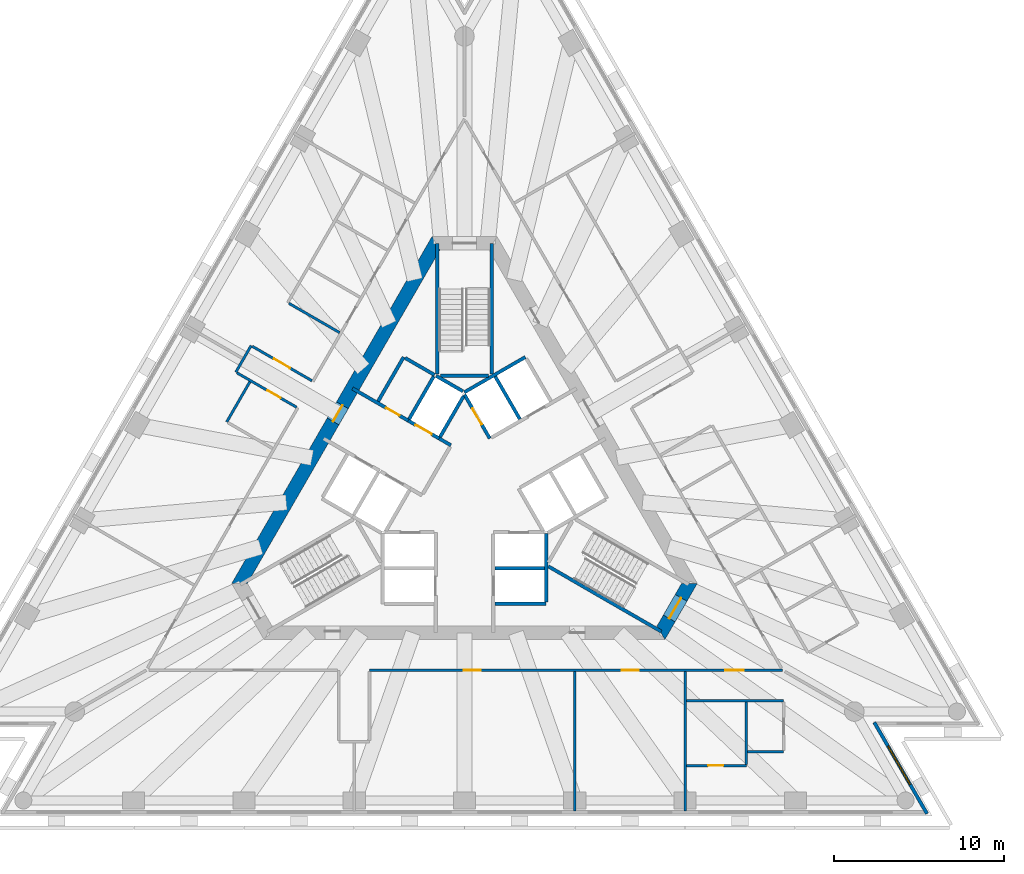
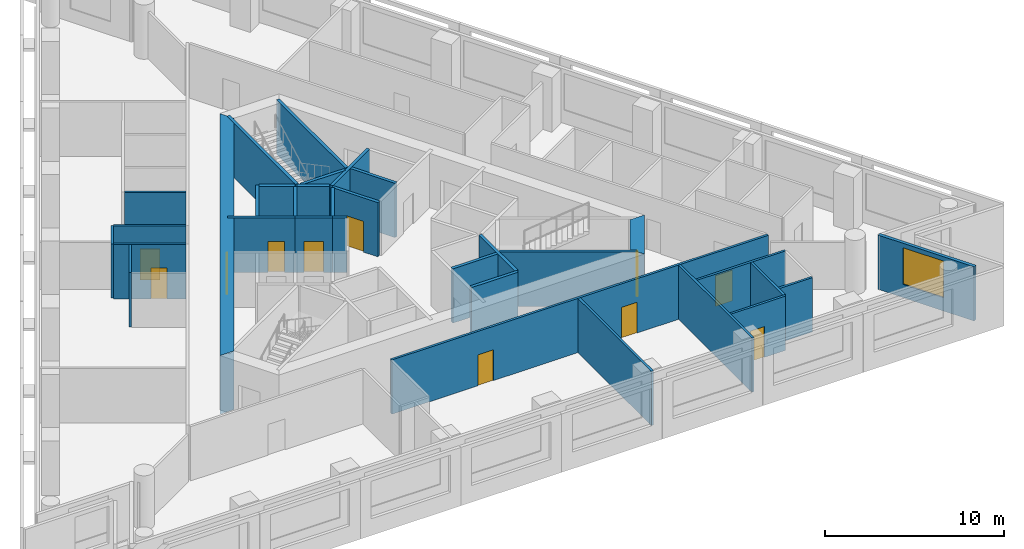
# One storey, part 4 of 9: 33 walls, 11 doors, 1 window, 12 openings.
"""IFC4 building model written with IfcOpenShell, lengths in metres."""

from ifc_helpers import new_model, si_unit, direction, frame, frame_2d, origin, place, context, subcontext, project, spatial, polyline, rectangle, outline, extrude, material, layer, layer_set, layer_usage, type_object, element, fill, save


model = new_model("IFC4")

# Units and contexts
model_context = context("Model", 3, precision=1e-05, world=origin(), true_north=direction((0.0, 1.0)))
body_context = subcontext(model_context, "Body", "Model", "MODEL_VIEW")
ifc_project = project(units=[si_unit("LENGTHUNIT", "METRE"), si_unit("AREAUNIT", "SQUARE_METRE"), si_unit("VOLUMEUNIT", "CUBIC_METRE"), si_unit("PLANEANGLEUNIT", "RADIAN"), si_unit("MASSUNIT", "GRAM", prefix="KILO")], contexts=[model_context])

# Site, building, storey
site_placement = place(None, origin())
site = spatial("IfcSite", under=ifc_project, at=site_placement, CompositionType="ELEMENT")
building_placement = place(site_placement, origin())
building = spatial("IfcBuilding", under=site, at=building_placement, Name="Triada Interchange Tower", CompositionType="ELEMENT")
storey_placement = place(building_placement, frame((0.0, 0.0, 164.300048828125)))
storey = spatial("IfcBuildingStorey", under=building, at=storey_placement, Name="L38", CompositionType="ELEMENT", Elevation=164.300048828125)

# Walls
ifc_material_1 = material(Name="Concrete C30/37", Category="concrete")
ifc_layer_1 = layer(ifc_material_1, 0.199951171875)
ifc_layer_set_1 = layer_set([ifc_layer_1], Name="CORE WALL 200 EI 120")
wall_type_1 = type_object("IfcWallType", Name="CORE WALL 200 EI 120", PredefinedType="SOLIDWALL", material=ifc_layer_set_1)
wall_1_placement = place(storey_placement, frame((1.800048828125, -6.89990234375, 0.0), z_axis=(0.0, 0.0, 1.0), x_axis=(1.0, 0.0, 0.0)))
element("IfcWall", 1, at=wall_1_placement, inside=storey, type_object=wall_type_1, Name="Wall L38 52", PredefinedType="SOLIDWALL", context=body_context, shape_type="SweptSolid", body=[
    extrude(rectangle(XDim=3.0, YDim=0.199951171875, at=frame_2d((1.5, 0.0))), origin(), (0.0, 0.0, 1.0), 3.699951171875),
])
wall_2_placement = place(storey_placement, frame((1.800048828125, -4.800048828125, 0.0), z_axis=(0.0, 0.0, 1.0), x_axis=(1.0, 0.0, 0.0)))
element("IfcWall", 2, at=wall_2_placement, inside=storey, type_object=wall_type_1, Name="Wall L38 54", PredefinedType="SOLIDWALL", context=body_context, shape_type="SweptSolid", body=[
    extrude(rectangle(XDim=2.89990234375, YDim=0.199951171875, at=frame_2d((1.449951171875, 0.0))), origin(), (0.0, 0.0, 1.0), 3.699951171875),
])
wall_3_placement = place(storey_placement, frame((-0.001953125, 5.5419921875, 0.0), z_axis=(0.0, 0.0, 1.0), x_axis=(0.866103910842, 0.499863997127, 0.0)))
element("IfcWall", 3, at=wall_3_placement, inside=storey, type_object=wall_type_1, Name="Wall L38 58", PredefinedType="SOLIDWALL", context=body_context, shape_type="SweptSolid", body=[
    extrude(rectangle(XDim=4.131103515625, YDim=0.199951171875, at=frame_2d((2.0654296875, 0.0))), origin(), (0.0, 0.0, 1.0), 3.699951171875),
])

# Wall, opening, door
wall_4_placement = place(storey_placement, frame((0.0, 5.39990234375, 0.0), z_axis=(0.0, 0.0, 1.0), x_axis=(0.500103862429, -0.865965430478, 0.0)))
wall_4 = element("IfcWall", 4, at=wall_4_placement, inside=storey, type_object=wall_type_1, Name="Wall L38 59", PredefinedType="SOLIDWALL", context=body_context, shape_type="SweptSolid", body=[
    extrude(rectangle(XDim=2.973388671875, YDim=0.199951171875, at=frame_2d((1.48681640625, 0.0))), origin(), (0.0, 0.0, 1.0), 3.699951171875),
])
opening_1_placement = place(wall_4_placement, frame((0.93701171875, 0.0, 0.0)))
opening_1 = element("IfcOpeningElement", 5, at=opening_1_placement, cuts=wall_4, Name="Opening LD-LR5", PredefinedType="OPENING", context=body_context, shape_type="SweptSolid", body=[
    extrude(rectangle(XDim=1.10009765625, YDim=2.10009765625, at=frame_2d((0.550048828125, 1.050048828125))), frame((0.0, 0.10986328125, 0.0), z_axis=(0.0, -1.0, 0.0), x_axis=(1.0, 0.0, 0.0)), (0.0, 0.0, 1.0), 0.219970703125),
])
ifc_material_2 = material(Name="Steel S235 door leaf", Category="steel")
door_type_1 = type_object("IfcDoorType", Name="LIFT LANDING DOOR 1100 EI 120", OperationType="SLIDING_TO_LEFT", PredefinedType="DOOR", material=ifc_material_2)
door_1_placement = place(opening_1_placement, origin())
door_1 = element("IfcDoor", 6, at=door_1_placement, inside=storey, type_object=door_type_1, Name="LR5 landing door L38", OperationType="SLIDING_TO_LEFT", OverallHeight=2.10009765625, OverallWidth=1.10009765625, PredefinedType="DOOR", context=body_context, shape_type="SweptSolid", body=[
    extrude(rectangle(XDim=1.10009765625, YDim=2.10009765625, at=frame_2d((0.550048828125, 1.050048828125))), frame((0.0, 0.02490234375, 0.0), z_axis=(0.0, -1.0, 0.0), x_axis=(1.0, 0.0, 0.0)), (0.0, 0.0, 1.0), 0.050048828125),
])
fill(opening_1, door_1)

# Walls
wall_5_placement = place(storey_placement, frame((4.800048828125, -6.800048828125, 0.0), z_axis=(0.0, 0.0, 1.0), x_axis=(0.0, 1.0, 0.0)))
element("IfcWall", 7, at=wall_5_placement, inside=storey, type_object=wall_type_1, Name="Wall L38 63", PredefinedType="SOLIDWALL", context=body_context, shape_type="SweptSolid", body=[
    extrude(rectangle(XDim=4.029052734375, YDim=0.199951171875, at=frame_2d((2.0146484375, 0.0))), origin(), (0.0, 0.0, 1.0), 3.699951171875),
])
wall_6_placement = place(storey_placement, frame((1.806884765625, 6.469970703125, 0.0), z_axis=(0.0, 0.0, 1.0), x_axis=(0.50012328804, -0.865954211699, 0.0)))
element("IfcWall", 8, at=wall_6_placement, inside=storey, type_object=wall_type_1, Name="Wall L38 66", PredefinedType="SOLIDWALL", context=body_context, shape_type="SweptSolid", body=[
    extrude(rectangle(XDim=2.899658203125, YDim=0.199951171875, at=frame_2d((1.44970703125, 0.0))), origin(), (0.0, 0.0, 1.0), 3.699951171875),
])

# Wall, opening, door
ifc_layer_2 = layer(ifc_material_1, 0.199951171875)
ifc_layer_set_2 = layer_set([ifc_layer_2], Name="CORE WALL 200 EI 180")
wall_type_2 = type_object("IfcWallType", Name="CORE WALL 200 EI 180", PredefinedType="SOLIDWALL", material=ifc_layer_set_2)
wall_7_placement = place(storey_placement, frame((-6.580078125, 5.761962890625, 0.0), z_axis=(0.0, 0.0, 1.0), x_axis=(0.866029704776, -0.49999255039, 0.0)))
wall_7 = element("IfcWall", 9, at=wall_7_placement, inside=storey, type_object=wall_type_2, Name="Wall L38 72", PredefinedType="SOLIDWALL", context=body_context, shape_type="SweptSolid", body=[
    extrude(rectangle(XDim=3.78173828125, YDim=0.199951171875, at=frame_2d((1.890869140625, 0.0))), origin(), (0.0, 0.0, 1.0), 3.699951171875),
])
opening_2_placement = place(wall_7_placement, frame((2.279052734375, 0.0, 0.0)))
opening_2 = element("IfcOpeningElement", 10, at=opening_2_placement, cuts=wall_7, Name="Opening D38-10", PredefinedType="OPENING", context=body_context, shape_type="SweptSolid", body=[
    extrude(rectangle(XDim=0.89990234375, YDim=2.10009765625, at=frame_2d((0.449951171875, 1.050048828125))), frame((0.0, 0.10986328125, 0.0), z_axis=(0.0, -1.0, 0.0), x_axis=(1.0, 0.0, 0.0)), (0.0, 0.0, 1.0), 0.219970703125),
])
door_type_2 = type_object("IfcDoorType", Name="SERVICE DOOR 900 EI2 90-C5S200", OperationType="NOTDEFINED", PredefinedType="DOOR", material=ifc_material_2)
door_2_placement = place(opening_2_placement, origin())
door_2 = element("IfcDoor", 11, at=door_2_placement, inside=storey, type_object=door_type_2, Name="Door D38-10 L38", OperationType="SINGLE_SWING_LEFT", OverallHeight=2.10009765625, OverallWidth=0.89990234375, PredefinedType="DOOR", context=body_context, shape_type="SweptSolid", body=[
    extrude(rectangle(XDim=0.89990234375, YDim=2.10009765625, at=frame_2d((0.449951171875, 1.050048828125))), frame((0.0, 0.02490234375, 0.0), z_axis=(0.0, -1.0, 0.0), x_axis=(1.0, 0.0, 0.0)), (0.0, 0.0, 1.0), 0.050048828125),
])
fill(opening_2, door_2)

# Walls
wall_8_placement = place(storey_placement, frame((-1.488037109375, 2.822021484375, 0.0), z_axis=(0.0, 0.0, 1.0), x_axis=(0.866236612152, -0.499633997809, 0.0)))
element("IfcWall", 12, at=wall_8_placement, inside=storey, type_object=wall_type_2, Name="Wall L38 73", PredefinedType="SOLIDWALL", context=body_context, shape_type="SweptSolid", body=[
    extrude(rectangle(XDim=0.79638671875, YDim=0.199951171875, at=frame_2d((0.398193359375, 0.0))), origin(), (0.0, 0.0, 1.0), 3.699951171875),
])
wall_9_placement = place(storey_placement, frame((-5.075927734375, 5.009033203125, 0.0), z_axis=(0.0, 0.0, 1.0), x_axis=(0.50002537861, 0.866010750942, 0.0)))
element("IfcWall", 13, at=wall_9_placement, inside=storey, type_object=wall_type_2, Name="Wall L38 74", PredefinedType="SOLIDWALL", context=body_context, shape_type="SweptSolid", body=[
    extrude(rectangle(XDim=2.999755859375, YDim=0.199951171875, at=frame_2d((1.5, 0.0))), origin(), (0.0, 0.0, 1.0), 3.699951171875),
])
wall_10_placement = place(storey_placement, frame((-3.489013671875, 7.556884765625, 0.0), z_axis=(0.0, 0.0, 1.0), x_axis=(0.866010750942, -0.50002537861, 0.0)))
element("IfcWall", 14, at=wall_10_placement, inside=storey, type_object=wall_type_2, Name="Wall L38 75", PredefinedType="SOLIDWALL", context=body_context, shape_type="SweptSolid", body=[
    extrude(rectangle(XDim=2.0, YDim=0.199951171875, at=frame_2d((1.0, 0.0))), origin(), (0.0, 0.0, 1.0), 3.699951171875),
])

# Wall, opening, door
wall_11_placement = place(storey_placement, frame((-3.30908203125, 3.873046875, 0.0), z_axis=(0.0, 0.0, 1.0), x_axis=(0.866098583652, -0.499873227325, 0.0)))
wall_11 = element("IfcWall", 15, at=wall_11_placement, inside=storey, type_object=wall_type_2, Name="Shaft wall FF2 L38 81", PredefinedType="SOLIDWALL", context=body_context, shape_type="SweptSolid", body=[
    extrude(rectangle(XDim=2.1025390625, YDim=0.199951171875, at=frame_2d((1.05126953125, 0.0))), origin(), (0.0, 0.0, 1.0), 3.699951171875),
])
opening_3_placement = place(wall_11_placement, frame((0.501953125, 0.0, 0.0)))
opening_3 = element("IfcOpeningElement", 16, at=opening_3_placement, cuts=wall_11, Name="Opening LD-FF2", PredefinedType="OPENING", context=body_context, shape_type="SweptSolid", body=[
    extrude(rectangle(XDim=1.10009765625, YDim=2.10009765625, at=frame_2d((0.550048828125, 1.050048828125))), frame((0.0, 0.10986328125, 0.0), z_axis=(0.0, -1.0, 0.0), x_axis=(1.0, 0.0, 0.0)), (0.0, 0.0, 1.0), 0.219970703125),
])
door_3_placement = place(opening_3_placement, origin())
door_3 = element("IfcDoor", 17, at=door_3_placement, inside=storey, type_object=door_type_1, Name="FF2 landing door L38", OperationType="SLIDING_TO_LEFT", OverallHeight=2.10009765625, OverallWidth=1.10009765625, PredefinedType="DOOR", context=body_context, shape_type="SweptSolid", body=[
    extrude(rectangle(XDim=1.10009765625, YDim=2.10009765625, at=frame_2d((0.550048828125, 1.050048828125))), frame((0.0, 0.02490234375, 0.0), z_axis=(0.0, -1.0, 0.0), x_axis=(1.0, 0.0, 0.0)), (0.0, 0.0, 1.0), 0.050048828125),
])
fill(opening_3, door_3)

# Walls
wall_12_placement = place(storey_placement, frame((-3.257080078125, 3.958984375, 0.0), z_axis=(0.0, 0.0, 1.0), x_axis=(0.50012328804, 0.865954211699, 0.0)))
element("IfcWall", 18, at=wall_12_placement, inside=storey, type_object=wall_type_2, Name="Shaft wall FF2 L38 82", PredefinedType="SOLIDWALL", context=body_context, shape_type="SweptSolid", body=[
    extrude(rectangle(XDim=2.899658203125, YDim=0.199951171875, at=frame_2d((1.44970703125, 0.0))), origin(), (0.0, 0.0, 1.0), 3.699951171875),
])
wall_13_placement = place(storey_placement, frame((-1.669921875, 6.507080078125, 0.0), z_axis=(0.0, 0.0, 1.0), x_axis=(0.865941441609, -0.500145398563, 0.0)))
element("IfcWall", 19, at=wall_13_placement, inside=storey, type_object=wall_type_2, Name="Shaft wall FF2 L38 83", PredefinedType="SOLIDWALL", context=body_context, shape_type="SweptSolid", body=[
    extrude(rectangle(XDim=1.8154296875, YDim=0.199951171875, at=frame_2d((0.90771484375, 0.0))), origin(), (0.0, 0.0, 1.0), 3.699951171875),
])
wall_14_placement = place(storey_placement, frame((-1.43798828125, 2.908935546875, 0.0), z_axis=(0.0, 0.0, 1.0), x_axis=(0.499829630636, 0.866123744241, 0.0)))
element("IfcWall", 20, at=wall_14_placement, inside=storey, type_object=wall_type_2, Name="Shaft wall FF2 L38 84", PredefinedType="SOLIDWALL", context=body_context, shape_type="SweptSolid", body=[
    extrude(rectangle(XDim=2.7607421875, YDim=0.199951171875, at=frame_2d((1.38037109375, 0.0))), origin(), (0.0, 0.0, 1.0), 3.699951171875),
])
ifc_layer_3 = layer(ifc_material_1, 0.199951171875)
ifc_layer_set_3 = layer_set([ifc_layer_3], Name="CORE WALL 200 REI 240")
wall_type_3 = type_object("IfcWallType", Name="CORE WALL 200 REI 240", PredefinedType="SOLIDWALL", material=ifc_layer_set_3)
wall_15_placement = place(storey_placement, frame((1.60009765625, 6.614990234375, 0.0), z_axis=(0.0, 0.0, 1.0), x_axis=(0.0, 1.0, 0.0)))
element("IfcWall", 21, at=wall_15_placement, inside=storey, type_object=wall_type_3, Name="Wall L38 88", PredefinedType="SOLIDWALL", context=body_context, shape_type="SweptSolid", body=[
    extrude(rectangle(XDim=7.6650390625, YDim=0.199951171875, at=frame_2d((3.83251953125, 0.0))), origin(), (0.0, 0.0, 1.0), 3.699951171875),
])
wall_16_placement = place(storey_placement, frame((-1.39990234375, 6.5, 0.0), z_axis=(0.0, 0.0, 1.0), x_axis=(1.0, 0.0, 0.0)))
element("IfcWall", 22, at=wall_16_placement, inside=storey, type_object=wall_type_3, Name="Wall L38 89", PredefinedType="SOLIDWALL", context=body_context, shape_type="SweptSolid", body=[
    extrude(rectangle(XDim=2.7998046875, YDim=0.199951171875, at=frame_2d((1.39990234375, 0.0))), origin(), (0.0, 0.0, 1.0), 3.699951171875),
])
for number, where, z_axis, x_axis, name in (
    (23, (-1.60009765625, 6.614990234375, 0.0), (0.0, 0.0, 1.0), (0.0, 1.0, 0.0), "Wall L38 90"),
    (24, (4.928955078125, -4.693115234375, 0.0), (0.0, 0.0, 1.0), (0.866005769735, -0.50003400563, 0.0), "Wall L38 91"),
):
    element("IfcWall", number, at=place(storey_placement, frame(where, z_axis=z_axis, x_axis=x_axis)), inside=storey, type_object=wall_type_3, Name=name, PredefinedType="SOLIDWALL", context=body_context, shape_type="SweptSolid", body=[
        extrude(rectangle(XDim=7.6650390625, YDim=0.199951171875, at=frame_2d((3.83251953125, 0.0))), origin(), (0.0, 0.0, 1.0), 3.699951171875),
    ])

# Wall, opening, door
ifc_material_3 = material(Name="Concrete C60/75", Category="concrete")
ifc_layer_4 = layer(ifc_material_3, 0.800048828125)
ifc_layer_set_4 = layer_set([ifc_layer_4], Name="Core wall B 800")
wall_type_4 = type_object("IfcWallType", Name="Core wall B 800", PredefinedType="SHEAR", material=ifc_layer_set_4)
wall_17_placement = place(storey_placement, frame((-1.674072265625, 14.300048828125, -0.300048828125), z_axis=(0.0, 0.0, 1.0), x_axis=(-0.499995765644, -0.866027848477, 0.0)))
wall_17 = element("IfcWall", 25, at=wall_17_placement, inside=storey, type_object=wall_type_4, Name="Core wall WB02 L38", PredefinedType="SHEAR", context=body_context, shape_type="SweptSolid", body=[
    extrude(outline(polyline([(-0.23095703125, -0.39990234375), (1.73193359375, -0.39990234375), (3.695068359375, -0.39990234375), (5.657958984375, -0.39990234375), (7.62109375, -0.39990234375), (9.583984375, -0.39990234375), (11.546875, -0.39990234375), (13.510009765625, -0.39990234375), (15.472900390625, -0.39990234375), (17.43603515625, -0.39990234375), (19.39892578125, -0.39990234375), (21.362060546875, -0.39990234375), (23.324951171875, -0.39990234375), (22.863037109375, 0.39990234375), (20.97705078125, 0.39990234375), (19.091064453125, 0.39990234375), (17.205078125, 0.39990234375), (15.319091796875, 0.39990234375), (13.43310546875, 0.39990234375), (11.546875, 0.39990234375), (9.660888671875, 0.39990234375), (7.77490234375, 0.39990234375), (5.888916015625, 0.39990234375), (4.0029296875, 0.39990234375), (2.116943359375, 0.39990234375), (0.23095703125, 0.39990234375), (-0.23095703125, -0.39990234375)])), origin(), (0.0, 0.0, 1.0), 4.0),
])
opening_4_placement = place(wall_17_placement, frame((10.9970703125, 0.0, 0.300048828125)))
opening_4 = element("IfcOpeningElement", 26, at=opening_4_placement, cuts=wall_17, Name="Opening D38-39", PredefinedType="OPENING", context=body_context, shape_type="SweptSolid", body=[
    extrude(rectangle(XDim=1.10009765625, YDim=2.10009765625, at=frame_2d((0.550048828125, 1.050048828125))), frame((0.0, 0.409912109375, 0.0), z_axis=(0.0, -1.0, 0.0), x_axis=(1.0, 0.0, 0.0)), (0.0, 0.0, 1.0), 0.820068359375),
])
door_type_3 = type_object("IfcDoorType", Name="FIRE LOBBY DOOR 1100 EI2 90-C5S200", OperationType="NOTDEFINED", PredefinedType="DOOR", material=ifc_material_2)
door_4_placement = place(opening_4_placement, origin())
door_4 = element("IfcDoor", 27, at=door_4_placement, inside=storey, type_object=door_type_3, Name="Door D38-39 L38", OperationType="SINGLE_SWING_LEFT", OverallHeight=2.10009765625, OverallWidth=1.10009765625, PredefinedType="DOOR", context=body_context, shape_type="SweptSolid", body=[
    extrude(rectangle(XDim=1.10009765625, YDim=2.10009765625, at=frame_2d((0.550048828125, 1.050048828125))), frame((0.0, 0.02490234375, 0.0), z_axis=(0.0, -1.0, 0.0), x_axis=(1.0, 0.0, 0.0)), (0.0, 0.0, 1.0), 0.050048828125),
])
fill(opening_4, door_4)

wall_18_placement = place(storey_placement, frame((11.547119140625, -8.60009765625, -0.300048828125), z_axis=(0.0, 0.0, 1.0), x_axis=(0.49987182685, 0.866099391942, 0.0)))
wall_18 = element("IfcWall", 28, at=wall_18_placement, inside=storey, type_object=wall_type_4, Name="Core wall WB05 L38", PredefinedType="SHEAR", context=body_context, shape_type="SweptSolid", body=[
    extrude(outline(polyline([(-0.23095703125, -0.39990234375), (1.674072265625, -0.39990234375), (3.5791015625, -0.39990234375), (3.117919921875, 0.39990234375), (1.67431640625, 0.39990234375), (0.23095703125, 0.39990234375), (-0.23095703125, -0.39990234375)])), origin(), (0.0, 0.0, 1.0), 4.0),
])
opening_5_placement = place(wall_18_placement, frame((0.97412109375, 0.0, 0.300048828125)))
opening_5 = element("IfcOpeningElement", 29, at=opening_5_placement, cuts=wall_18, Name="Opening D38-38", PredefinedType="OPENING", context=body_context, shape_type="SweptSolid", body=[
    extrude(rectangle(XDim=1.39990234375, YDim=2.10009765625, at=frame_2d((0.699951171875, 1.050048828125))), frame((0.0, 0.409912109375, 0.0), z_axis=(0.0, -1.0, 0.0), x_axis=(1.0, 0.0, 0.0)), (0.0, 0.0, 1.0), 0.820068359375),
])
door_type_4 = type_object("IfcDoorType", Name="STAIR DOOR 1400 EI2 90-C5S200", OperationType="DOUBLE_DOOR_SINGLE_SWING", PredefinedType="DOOR", material=ifc_material_2)
door_5_placement = place(opening_5_placement, origin())
door_5 = element("IfcDoor", 30, at=door_5_placement, inside=storey, type_object=door_type_4, Name="Door D38-38 L38", OperationType="DOUBLE_DOOR_SINGLE_SWING", OverallHeight=2.10009765625, OverallWidth=1.39990234375, PredefinedType="DOOR", context=body_context, shape_type="SweptSolid", body=[
    extrude(rectangle(XDim=1.39990234375, YDim=2.10009765625, at=frame_2d((0.699951171875, 1.050048828125))), frame((0.0, 0.02490234375, 0.0), z_axis=(0.0, -1.0, 0.0), x_axis=(1.0, 0.0, 0.0)), (0.0, 0.0, 1.0), 0.050048828125),
])
fill(opening_5, door_5)

# Wall, opening, window
ifc_material_4 = material(Name="Cement board")
ifc_layer_5 = layer(ifc_material_4, 0.02001953125, Name="Cement board cladding")
ifc_material_5 = material(Name="Sheathing board")
ifc_layer_6 = layer(ifc_material_5, 0.014892578125, Name="Sheathing board")
ifc_material_6 = material(Name="Mineral wool")
ifc_layer_7 = layer(ifc_material_6, 0.14990234375, Name="Mineral wool between steel studs")
ifc_material_7 = material(Name="Gypsum board")
ifc_layer_8 = layer(ifc_material_7, 0.014892578125, Name="Plasterboard lining")
ifc_layer_set_5 = layer_set([ifc_layer_5, ifc_layer_6, ifc_layer_7, ifc_layer_8], Name="External wall 200")
ifc_layer_usage = layer_usage(ifc_layer_set_5, "AXIS2", "POSITIVE", -0.10009765625)
wall_type_5 = type_object("IfcWallType", Name="External wall 200", PredefinedType="ELEMENTEDWALL", material=ifc_layer_set_5)
wall_19_placement = place(storey_placement, frame((27.18701171875, -19.23193359375, 0.0), z_axis=(0.0, 0.0, 1.0), x_axis=(-0.499932836684, 0.86606417707, 0.0)))
wall_19 = element("IfcWall", 31, at=wall_19_placement, inside=storey, type_object=wall_type_5, material=ifc_layer_usage, Name="External wall L38 SE-1", PredefinedType="ELEMENTEDWALL", context=body_context, shape_type="SweptSolid", body=[
    extrude(rectangle(XDim=6.194580078125, YDim=0.199951171875, at=frame_2d((3.09716796875, 0.0))), origin(), (0.0, 0.0, 1.0), 3.699951171875),
])
opening_6_placement = place(wall_19_placement, frame((1.989990234375, 0.0, 0.89990234375)))
opening_6 = element("IfcOpeningElement", 32, at=opening_6_placement, cuts=wall_19, Name="Opening WB19", PredefinedType="OPENING", context=body_context, shape_type="SweptSolid", body=[
    extrude(rectangle(XDim=2.60009765625, YDim=2.5, at=frame_2d((1.300048828125, 1.25))), frame((0.0, 0.10986328125, 0.0), z_axis=(0.0, -1.0, 0.0), x_axis=(1.0, 0.0, 0.0)), (0.0, 0.0, 1.0), 0.219970703125),
])
ifc_material_8 = material(Name="Double glazed aluminium window", Category="aluminium")
window_type = type_object("IfcWindowType", Name="Ribbon window B pocket", PartitioningType="SINGLE_PANEL", PredefinedType="WINDOW", material=ifc_material_8)
window_placement = place(opening_6_placement, origin())
window = element("IfcWindow", 33, at=window_placement, inside=storey, type_object=window_type, Name="Window L38 SE-1 1", OverallHeight=2.5, OverallWidth=2.60009765625, PartitioningType="SINGLE_PANEL", PredefinedType="WINDOW", context=body_context, shape_type="SweptSolid", body=[
    extrude(rectangle(XDim=2.60009765625, YDim=2.5, at=frame_2d((1.300048828125, 1.25))), frame((0.0, 0.030029296875, 0.0), z_axis=(0.0, -1.0, 0.0), x_axis=(1.0, 0.0, 0.0)), (0.0, 0.0, 1.0), 0.06005859375),
])
fill(opening_6, window)

# Wall, openings, doors
ifc_material_9 = material(Name="Gypsum board partition")
ifc_layer_9 = layer(ifc_material_9, 0.14990234375)
ifc_layer_set_6 = layer_set([ifc_layer_9], Name="PARTITION 150 EI 180")
wall_type_6 = type_object("IfcWallType", Name="PARTITION 150 EI 180", PredefinedType="PARTITIONING", material=ifc_layer_set_6)
wall_20_placement = place(storey_placement, frame((-5.5810546875, -10.800048828125, 0.0), z_axis=(0.0, 0.0, 1.0), x_axis=(1.0, 0.0, 0.0)))
wall_20 = element("IfcWall", 34, at=wall_20_placement, inside=storey, type_object=wall_type_6, Name="Wall L38 7", PredefinedType="PARTITIONING", context=body_context, shape_type="SweptSolid", body=[
    extrude(rectangle(XDim=24.287109375, YDim=0.14990234375, at=frame_2d((12.1435546875, 0.0))), origin(), (0.0, 0.0, 1.0), 3.699951171875),
])
opening_7_placement = place(wall_20_placement, frame((5.549072265625, 0.0, 0.0)))
opening_7 = element("IfcOpeningElement", 35, at=opening_7_placement, cuts=wall_20, Name="Opening D38-12", PredefinedType="OPENING", context=body_context, shape_type="SweptSolid", body=[
    extrude(rectangle(XDim=1.0, YDim=2.10009765625, at=frame_2d((0.5, 1.050048828125))), frame((0.0, 0.0849609375, 0.0), z_axis=(0.0, -1.0, 0.0), x_axis=(1.0, 0.0, 0.0)), (0.0, 0.0, 1.0), 0.169921875),
])
opening_8_placement = place(wall_20_placement, frame((14.81298828125, 0.0, 0.0)))
opening_8 = element("IfcOpeningElement", 36, at=opening_8_placement, cuts=wall_20, Name="Opening D38-13", PredefinedType="OPENING", context=body_context, shape_type="SweptSolid", body=[
    extrude(rectangle(XDim=1.0, YDim=2.10009765625, at=frame_2d((0.5, 1.050048828125))), frame((0.0, 0.0849609375, 0.0), z_axis=(0.0, -1.0, 0.0), x_axis=(1.0, 0.0, 0.0)), (0.0, 0.0, 1.0), 0.169921875),
])
opening_9_placement = place(wall_20_placement, frame((20.89501953125, 0.0, 0.0)))
opening_9 = element("IfcOpeningElement", 37, at=opening_9_placement, cuts=wall_20, Name="Opening D38-14", PredefinedType="OPENING", context=body_context, shape_type="SweptSolid", body=[
    extrude(rectangle(XDim=1.10009765625, YDim=2.10009765625, at=frame_2d((0.550048828125, 1.050048828125))), frame((0.0, 0.0849609375, 0.0), z_axis=(0.0, -1.0, 0.0), x_axis=(1.0, 0.0, 0.0)), (0.0, 0.0, 1.0), 0.169921875),
])
door_type_5 = type_object("IfcDoorType", Name="ROOM DOOR 1000 EI2 90-C5S200", OperationType="NOTDEFINED", PredefinedType="DOOR", material=ifc_material_2)
door_6_placement = place(opening_7_placement, origin())
door_6 = element("IfcDoor", 38, at=door_6_placement, inside=storey, type_object=door_type_5, Name="Door D38-12 L38", OperationType="SINGLE_SWING_RIGHT", OverallHeight=2.10009765625, OverallWidth=1.0, PredefinedType="DOOR", context=body_context, shape_type="SweptSolid", body=[
    extrude(rectangle(XDim=1.0, YDim=2.10009765625, at=frame_2d((0.5, 1.050048828125))), frame((0.0, 0.02490234375, 0.0), z_axis=(0.0, -1.0, 0.0), x_axis=(1.0, 0.0, 0.0)), (0.0, 0.0, 1.0), 0.050048828125),
])
fill(opening_7, door_6)
door_7_placement = place(opening_8_placement, origin())
door_7 = element("IfcDoor", 39, at=door_7_placement, inside=storey, type_object=door_type_5, Name="Door D38-13 L38", OperationType="SINGLE_SWING_RIGHT", OverallHeight=2.10009765625, OverallWidth=1.0, PredefinedType="DOOR", context=body_context, shape_type="SweptSolid", body=[
    extrude(rectangle(XDim=1.0, YDim=2.10009765625, at=frame_2d((0.5, 1.050048828125))), frame((0.0, 0.02490234375, 0.0), z_axis=(0.0, -1.0, 0.0), x_axis=(1.0, 0.0, 0.0)), (0.0, 0.0, 1.0), 0.050048828125),
])
fill(opening_8, door_7)
door_type_6 = type_object("IfcDoorType", Name="TENANCY ENTRANCE DOOR 1100 EI2 90-C5S200", OperationType="NOTDEFINED", PredefinedType="DOOR", material=ifc_material_2)
door_8_placement = place(opening_9_placement, origin())
door_8 = element("IfcDoor", 40, at=door_8_placement, inside=storey, type_object=door_type_6, Name="Door D38-14 L38", OperationType="SINGLE_SWING_LEFT", OverallHeight=2.10009765625, OverallWidth=1.10009765625, PredefinedType="DOOR", context=body_context, shape_type="SweptSolid", body=[
    extrude(rectangle(XDim=1.10009765625, YDim=2.10009765625, at=frame_2d((0.550048828125, 1.050048828125))), frame((0.0, 0.02490234375, 0.0), z_axis=(0.0, -1.0, 0.0), x_axis=(1.0, 0.0, 0.0)), (0.0, 0.0, 1.0), 0.050048828125),
])
fill(opening_9, door_8)

# Wall
wall_21_placement = place(storey_placement, frame((-13.43994140625, 6.719970703125, 0.0), z_axis=(0.0, 0.0, 1.0), x_axis=(0.499902469156, 0.866081705922, 0.0)))
element("IfcWall", 41, at=wall_21_placement, inside=storey, type_object=wall_type_6, Name="Wall L38 12", PredefinedType="PARTITIONING", context=body_context, shape_type="SweptSolid", body=[
    extrude(rectangle(XDim=1.800048828125, YDim=0.14990234375, at=frame_2d((0.89990234375, 0.0))), origin(), (0.0, 0.0, 1.0), 3.699951171875),
])

# Wall, opening, door
wall_22_placement = place(storey_placement, frame((-12.47509765625, 8.241943359375, 0.0), z_axis=(0.0, 0.0, 1.0), x_axis=(0.865955608197, -0.500120870022, 0.0)))
wall_22 = element("IfcWall", 42, at=wall_22_placement, inside=storey, type_object=wall_type_6, Name="Wall L38 13", PredefinedType="PARTITIONING", context=body_context, shape_type="SweptSolid", body=[
    extrude(rectangle(XDim=4.048828125, YDim=0.14990234375, at=frame_2d((2.0244140625, 0.0))), origin(), (0.0, 0.0, 1.0), 3.699951171875),
])
opening_10_placement = place(wall_22_placement, frame((1.47509765625, 0.0, 0.0)))
opening_10 = element("IfcOpeningElement", 43, at=opening_10_placement, cuts=wall_22, Name="Opening D38-28", PredefinedType="OPENING", context=body_context, shape_type="SweptSolid", body=[
    extrude(rectangle(XDim=1.10009765625, YDim=2.10009765625, at=frame_2d((0.550048828125, 1.050048828125))), frame((0.0, 0.0849609375, 0.0), z_axis=(0.0, -1.0, 0.0), x_axis=(1.0, 0.0, 0.0)), (0.0, 0.0, 1.0), 0.169921875),
])
door_9_placement = place(opening_10_placement, origin())
door_9 = element("IfcDoor", 44, at=door_9_placement, inside=storey, type_object=door_type_6, Name="Door D38-28 L38", OperationType="SINGLE_SWING_LEFT", OverallHeight=2.10009765625, OverallWidth=1.10009765625, PredefinedType="DOOR", context=body_context, shape_type="SweptSolid", body=[
    extrude(rectangle(XDim=1.10009765625, YDim=2.10009765625, at=frame_2d((0.550048828125, 1.050048828125))), frame((0.0, 0.02490234375, 0.0), z_axis=(0.0, -1.0, 0.0), x_axis=(1.0, 0.0, 0.0)), (0.0, 0.0, 1.0), 0.050048828125),
])
fill(opening_10, door_9)

wall_23_placement = place(storey_placement, frame((-13.375, 6.68310546875, 0.0), z_axis=(0.0, 0.0, 1.0), x_axis=(0.865929493314, -0.500166085025, 0.0)))
wall_23 = element("IfcWall", 45, at=wall_23_placement, inside=storey, type_object=wall_type_6, Name="Wall L38 14", PredefinedType="PARTITIONING", context=body_context, shape_type="SweptSolid", body=[
    extrude(rectangle(XDim=4.048828125, YDim=0.14990234375, at=frame_2d((2.0244140625, 0.0))), origin(), (0.0, 0.0, 1.0), 3.699951171875),
])
opening_11_placement = place(wall_23_placement, frame((2.074951171875, 0.0, 0.0)))
opening_11 = element("IfcOpeningElement", 46, at=opening_11_placement, cuts=wall_23, Name="Opening D38-33", PredefinedType="OPENING", context=body_context, shape_type="SweptSolid", body=[
    extrude(rectangle(XDim=0.89990234375, YDim=2.10009765625, at=frame_2d((0.449951171875, 1.050048828125))), frame((0.0, 0.0849609375, 0.0), z_axis=(0.0, -1.0, 0.0), x_axis=(1.0, 0.0, 0.0)), (0.0, 0.0, 1.0), 0.169921875),
])
door_type_7 = type_object("IfcDoorType", Name="ROOM DOOR 900 EI2 90-C5S200", OperationType="NOTDEFINED", PredefinedType="DOOR", material=ifc_material_2)
door_10_placement = place(opening_11_placement, origin())
door_10 = element("IfcDoor", 47, at=door_10_placement, inside=storey, type_object=door_type_7, Name="Door D38-33 L38", OperationType="SINGLE_SWING_RIGHT", OverallHeight=2.10009765625, OverallWidth=0.89990234375, PredefinedType="DOOR", context=body_context, shape_type="SweptSolid", body=[
    extrude(rectangle(XDim=0.89990234375, YDim=2.10009765625, at=frame_2d((0.449951171875, 1.050048828125))), frame((0.0, 0.02490234375, 0.0), z_axis=(0.0, -1.0, 0.0), x_axis=(1.0, 0.0, 0.0)), (0.0, 0.0, 1.0), 0.050048828125),
])
fill(opening_11, door_10)

# Walls
wall_24_placement = place(storey_placement, frame((-13.97412109375, 3.7958984375, 0.0), z_axis=(0.0, 0.0, 1.0), x_axis=(0.500004325324, 0.866022906543, 0.0)))
element("IfcWall", 48, at=wall_24_placement, inside=storey, type_object=wall_type_6, Name="Wall L38 15", PredefinedType="PARTITIONING", context=body_context, shape_type="SweptSolid", body=[
    extrude(rectangle(XDim=2.72412109375, YDim=0.14990234375, at=frame_2d((1.362060546875, 0.0))), origin(), (0.0, 0.0, 1.0), 3.699951171875),
])
wall_25_placement = place(storey_placement, frame((-10.323974609375, 10.76904296875, 0.0), z_axis=(0.0, 0.0, 1.0), x_axis=(0.866031223622, -0.49998991961, 0.0)))
element("IfcWall", 49, at=wall_25_placement, inside=storey, type_object=wall_type_6, Name="Wall L38 19", PredefinedType="PARTITIONING", context=body_context, shape_type="SweptSolid", body=[
    extrude(rectangle(XDim=3.4501953125, YDim=0.14990234375, at=frame_2d((1.72509765625, 0.0))), origin(), (0.0, 0.0, 1.0), 3.699951171875),
])
for number, where, z_axis, x_axis, name in (
    (50, (6.48193359375, -19.073974609375, 0.0), (0.0, 0.0, 1.0), (0.0, 1.0, 0.0), "Wall L38 30"),
    (51, (12.964111328125, -19.073974609375, 0.0), (0.0, 0.0, 1.0), (0.0, 1.0, 0.0), "Wall L38 35"),
):
    element("IfcWall", number, at=place(storey_placement, frame(where, z_axis=z_axis, x_axis=x_axis)), inside=storey, type_object=wall_type_6, Name=name, PredefinedType="PARTITIONING", context=body_context, shape_type="SweptSolid", body=[
        extrude(rectangle(XDim=8.198974609375, YDim=0.14990234375, at=frame_2d((4.099609375, 0.0))), origin(), (0.0, 0.0, 1.0), 3.699951171875),
    ])

# Wall, opening, door
ifc_layer_10 = layer(ifc_material_9, 0.14990234375)
ifc_layer_set_7 = layer_set([ifc_layer_10], Name="PARTITION 150 EI 90")
wall_type_7 = type_object("IfcWallType", Name="PARTITION 150 EI 90", PredefinedType="PARTITIONING", material=ifc_layer_set_7)
wall_26_placement = place(storey_placement, frame((13.0390625, -16.39990234375, 0.0), z_axis=(0.0, 0.0, 1.0), x_axis=(1.0, 0.0, 0.0)))
wall_26 = element("IfcWall", 52, at=wall_26_placement, inside=storey, type_object=wall_type_7, Name="Wall L38 39", PredefinedType="PARTITIONING", context=body_context, shape_type="SweptSolid", body=[
    extrude(rectangle(XDim=3.52490234375, YDim=0.14990234375, at=frame_2d((1.762451171875, 0.0))), origin(), (0.0, 0.0, 1.0), 3.699951171875),
])
opening_12_placement = place(wall_26_placement, frame((1.27490234375, 0.0, 0.0)))
opening_12 = element("IfcOpeningElement", 53, at=opening_12_placement, cuts=wall_26, Name="Opening D38-15", PredefinedType="OPENING", context=body_context, shape_type="SweptSolid", body=[
    extrude(rectangle(XDim=0.89990234375, YDim=2.10009765625, at=frame_2d((0.449951171875, 1.050048828125))), frame((0.0, 0.0849609375, 0.0), z_axis=(0.0, -1.0, 0.0), x_axis=(1.0, 0.0, 0.0)), (0.0, 0.0, 1.0), 0.169921875),
])
door_type_8 = type_object("IfcDoorType", Name="ROOM DOOR 900 EI2 45-C5S200", OperationType="NOTDEFINED", PredefinedType="DOOR", material=ifc_material_2)
door_11_placement = place(opening_12_placement, origin())
door_11 = element("IfcDoor", 54, at=door_11_placement, inside=storey, type_object=door_type_8, Name="Door D38-15 L38", OperationType="SINGLE_SWING_LEFT", OverallHeight=2.10009765625, OverallWidth=0.89990234375, PredefinedType="DOOR", context=body_context, shape_type="SweptSolid", body=[
    extrude(rectangle(XDim=0.89990234375, YDim=2.10009765625, at=frame_2d((0.449951171875, 1.050048828125))), frame((0.0, 0.02490234375, 0.0), z_axis=(0.0, -1.0, 0.0), x_axis=(1.0, 0.0, 0.0)), (0.0, 0.0, 1.0), 0.050048828125),
])
fill(opening_12, door_11)

# Walls
wall_27_placement = place(storey_placement, frame((16.56396484375, -16.324951171875, 0.0), z_axis=(0.0, 0.0, 1.0), x_axis=(0.0, 1.0, 0.0)))
element("IfcWall", 55, at=wall_27_placement, inside=storey, type_object=wall_type_7, Name="Wall L38 40", PredefinedType="PARTITIONING", context=body_context, shape_type="SweptSolid", body=[
    extrude(rectangle(XDim=3.64990234375, YDim=0.14990234375, at=frame_2d((1.824951171875, 0.0))), origin(), (0.0, 0.0, 1.0), 3.699951171875),
])
wall_28_placement = place(storey_placement, frame((13.0390625, -12.60009765625, 0.0), z_axis=(0.0, 0.0, 1.0), x_axis=(1.0, 0.0, 0.0)))
element("IfcWall", 56, at=wall_28_placement, inside=storey, type_object=wall_type_7, Name="Wall L38 41", PredefinedType="PARTITIONING", context=body_context, shape_type="SweptSolid", body=[
    extrude(rectangle(XDim=5.724853515625, YDim=0.14990234375, at=frame_2d((2.8623046875, 0.0))), origin(), (0.0, 0.0, 1.0), 3.699951171875),
])
wall_29_placement = place(storey_placement, frame((16.638916015625, -15.60009765625, 0.0), z_axis=(0.0, 0.0, 1.0), x_axis=(1.0, 0.0, 0.0)))
element("IfcWall", 57, at=wall_29_placement, inside=storey, type_object=wall_type_7, Name="Wall L38 42", PredefinedType="PARTITIONING", context=body_context, shape_type="SweptSolid", body=[
    extrude(rectangle(XDim=2.125, YDim=0.14990234375, at=frame_2d((1.0625, 0.0))), origin(), (0.0, 0.0, 1.0), 3.699951171875),
])

save(model, "model.ifc")
